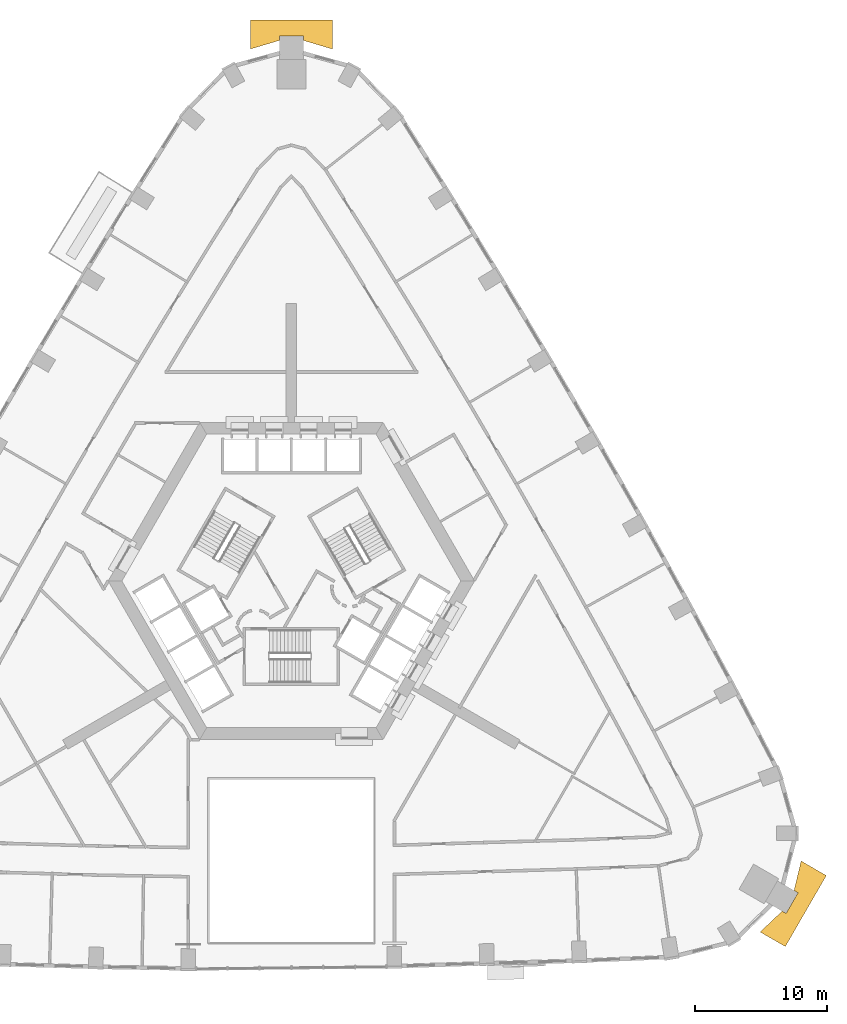
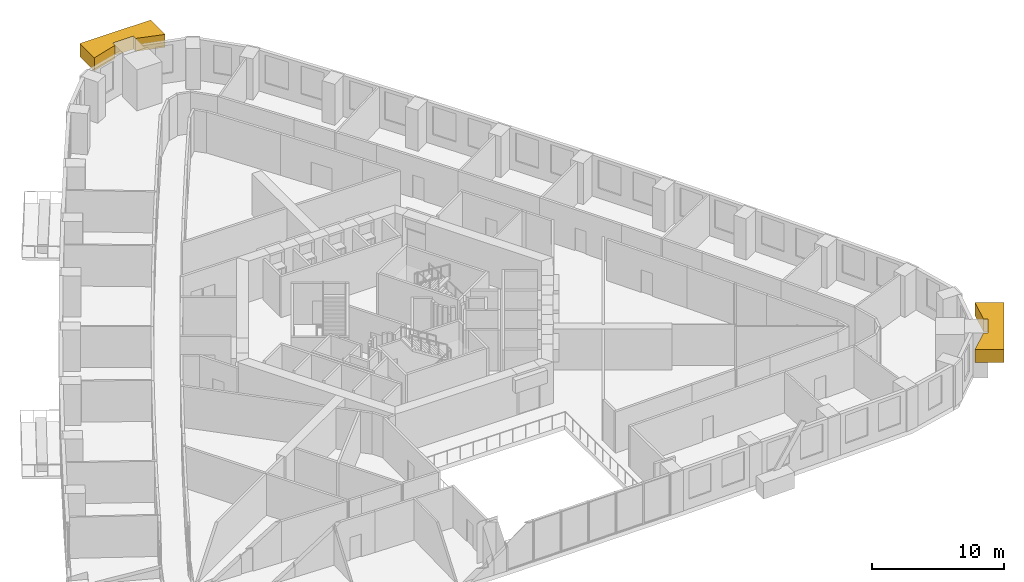
# One storey, part 15 of 15: 2 coverings.
"""IFC4 building model written with IfcOpenShell, lengths in metres."""

from ifc_helpers import new_model, si_unit, direction, frame, origin, place, context, subcontext, project, spatial, polyline, outline, extrude, material, type_object, element, save


model = new_model("IFC4")

# Units and contexts
model_context = context("Model", 3, precision=1e-05, world=origin(), true_north=direction((0.0, 1.0)))
body_context = subcontext(model_context, "Body", "Model", "MODEL_VIEW")
ifc_project = project(units=[si_unit("LENGTHUNIT", "METRE"), si_unit("AREAUNIT", "SQUARE_METRE"), si_unit("VOLUMEUNIT", "CUBIC_METRE"), si_unit("PLANEANGLEUNIT", "RADIAN"), si_unit("MASSUNIT", "GRAM", prefix="KILO")], contexts=[model_context])

# Site, building, storey
site_placement = place(None, origin())
site = spatial("IfcSite", under=ifc_project, at=site_placement, CompositionType="ELEMENT")
building_placement = place(site_placement, origin())
building = spatial("IfcBuilding", under=site, at=building_placement, Name="Entoto Arch Interchange Tower", CompositionType="ELEMENT")
storey_placement = place(building_placement, frame((0.0, 0.0, 107.60009765625)))
storey = spatial("IfcBuildingStorey", under=building, at=storey_placement, Name="L23", CompositionType="ELEMENT", Elevation=107.60009765625)

# Coverings
ifc_material = material(Name="Board-marked precast concrete C50/60", Category="concrete")
covering_type = type_object("IfcCoveringType", Name="PRECAST FRAME COURSE", PredefinedType="CLADDING", material=ifc_material)
covering_1_placement = place(storey_placement, frame((0.0, 0.0, 2.599853515625)))
element("IfcCovering", 1, at=covering_1_placement, inside=storey, type_object=covering_type, Name="Corner pilaster head SE L21-L23", PredefinedType="CLADDING", context=body_context, shape_type="SweptSolid", body=[
    extrude(outline(polyline([(40.4580078125, -19.779052734375), (37.35791015625, -25.14892578125), (35.452880859375, -24.049072265625), (37.118896484375, -22.470947265625), (37.41796875, -22.64306640625), (38.318115234375, -21.0849609375), (38.01904296875, -20.912109375), (38.553955078125, -18.679931640625), (40.4580078125, -19.779052734375)])), origin(), (0.0, 0.0, 1.0), 1.199951171875),
])
covering_2_placement = place(storey_placement, frame((0.0, 0.0, 2.599853515625)))
element("IfcCovering", 2, at=covering_2_placement, inside=storey, type_object=covering_type, Name="Corner pilaster head N L21-L23", PredefinedType="CLADDING", context=body_context, shape_type="SweptSolid", body=[
    extrude(outline(polyline([(-3.10009765625, 44.927001953125), (3.10009765625, 44.927001953125), (3.10009765625, 42.72802734375), (0.89990234375, 43.382080078125), (0.89990234375, 43.72705078125), (-0.89990234375, 43.72705078125), (-0.89990234375, 43.382080078125), (-3.10009765625, 42.72802734375), (-3.10009765625, 44.927001953125)])), origin(), (0.0, 0.0, 1.0), 1.199951171875),
])

save(model, "model.ifc")
